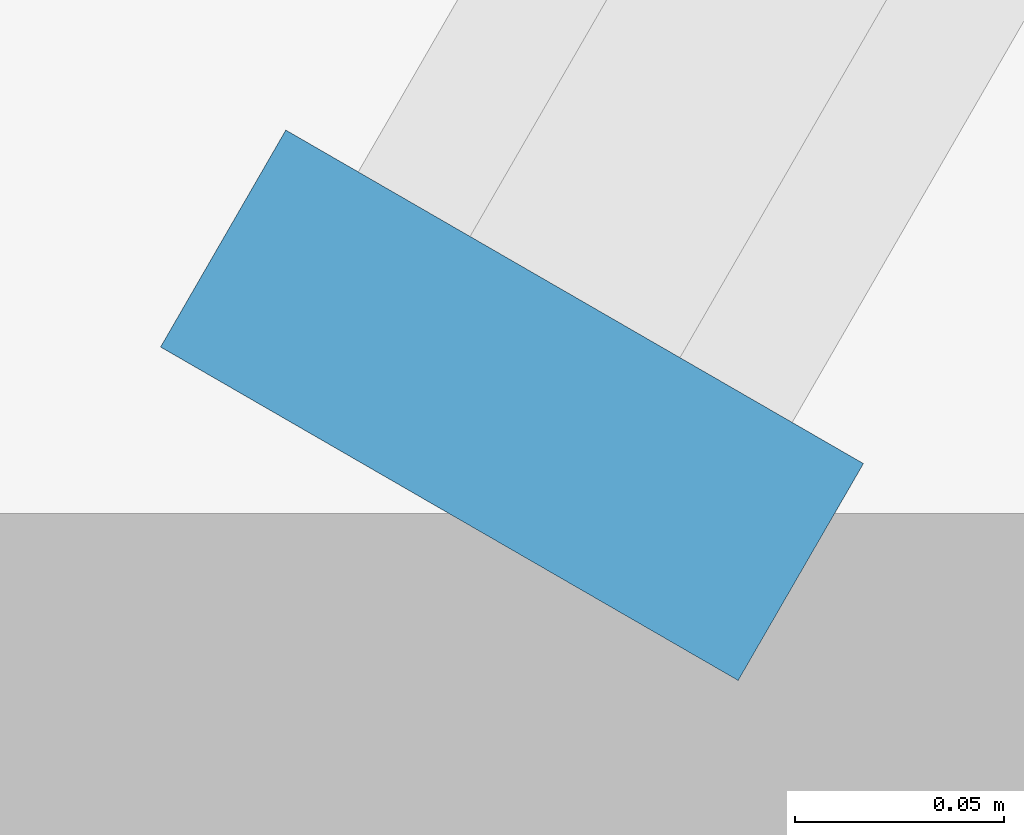
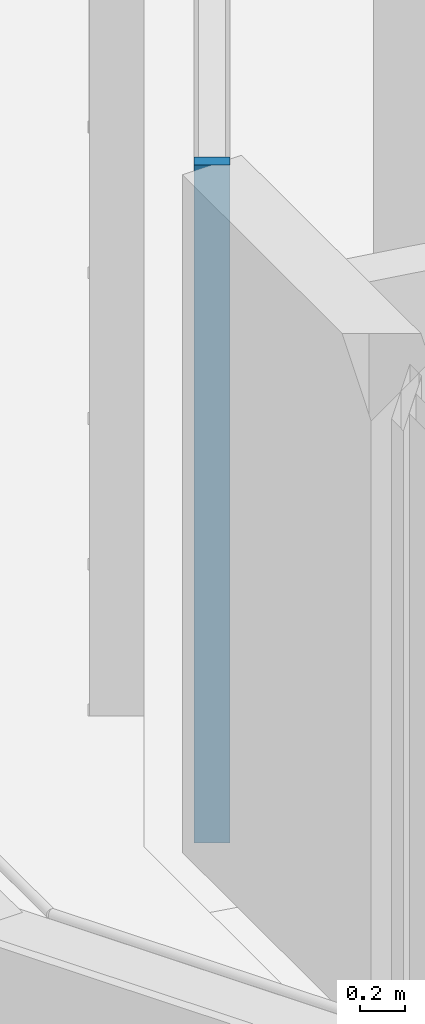
# One storey, part 55 of 127: 1 member, 1 element without a shape of its own.
"""IFC4 building model written with IfcOpenShell, lengths in metres."""

from ifc_helpers import new_model, si_unit, direction, frame, origin, origin_2d, place, context, subcontext, project, spatial, rectangle, extrude, material, material_profile, profile_set, type_object, element, aggregate, save


model = new_model("IFC4")

# Units and contexts
model_context = context("Model", 3, precision=1e-05, world=origin(), true_north=direction((0.0, 1.0)))
body_context = subcontext(model_context, "Body", "Model", "MODEL_VIEW")
ifc_project = project(units=[si_unit("LENGTHUNIT", "METRE"), si_unit("AREAUNIT", "SQUARE_METRE"), si_unit("VOLUMEUNIT", "CUBIC_METRE"), si_unit("PLANEANGLEUNIT", "RADIAN"), si_unit("MASSUNIT", "GRAM", prefix="KILO")], contexts=[model_context])

# Site, building, storey
site_placement = place(None, origin())
site = spatial("IfcSite", under=ifc_project, at=site_placement, CompositionType="ELEMENT")
building_placement = place(site_placement, origin())
building = spatial("IfcBuilding", under=site, at=building_placement, Name="Sandreach Pilgrim Tower", CompositionType="ELEMENT")
storey_placement = place(building_placement, frame((0.0, 0.0, 257.0)))
storey = spatial("IfcBuildingStorey", under=building, at=storey_placement, Name="L64", CompositionType="ELEMENT", Elevation=257.0)

# Curtain wall, member
ifc_material_1 = material(Name="Aluminium framed curtain wall", Category="aluminium")
curtain_wall_type = type_object("IfcCurtainWallType", Name="Suite tower curtain wall", PredefinedType="NOTDEFINED", material=ifc_material_1)
curtain_wall_placement = place(storey_placement, origin())
curtain_wall = element("IfcCurtainWall", 1, at=curtain_wall_placement, inside=storey, type_object=curtain_wall_type, Name="CW-4 L64 NW", PredefinedType="NOTDEFINED")
ifc_material_2 = material(Name="Aluminium extrusion", Category="aluminium")
ifc_material_profile = material_profile(ifc_material_2, rectangle(XDim=0.06005859375, YDim=0.159912109375, at=origin_2d()), Name="CW-4M 60X160")
ifc_profile_set = profile_set([ifc_material_profile], Name="Aluminium extrusion")
member_type = type_object("IfcMemberType", Name="CW-4 mullion", PredefinedType="MULLION", material=ifc_profile_set)
member_placement = place(storey_placement, frame((-25.304443359375, 5.8876953125, 0.0), z_axis=(0.0, 0.0, 1.0), x_axis=(0.5, 0.866025403784, 0.0)))
member = element("IfcMember", 2, at=member_placement, type_object=member_type, Name="CW-4 mullion 1", PredefinedType="MULLION", context=body_context, shape_type="SweptSolid", body=[
    extrude(rectangle(XDim=0.06005859375, YDim=0.159912109375, at=origin_2d()), origin(), (0.0, 0.0, 1.0), 3.639892578125),
])
aggregate(curtain_wall, [member])

save(model, "model.ifc")
